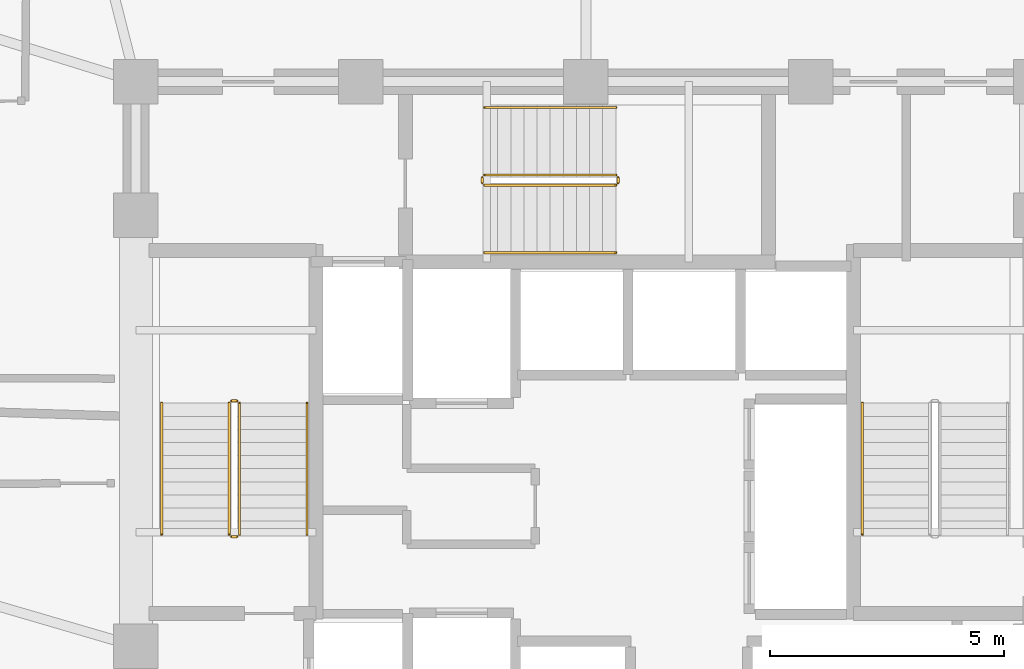
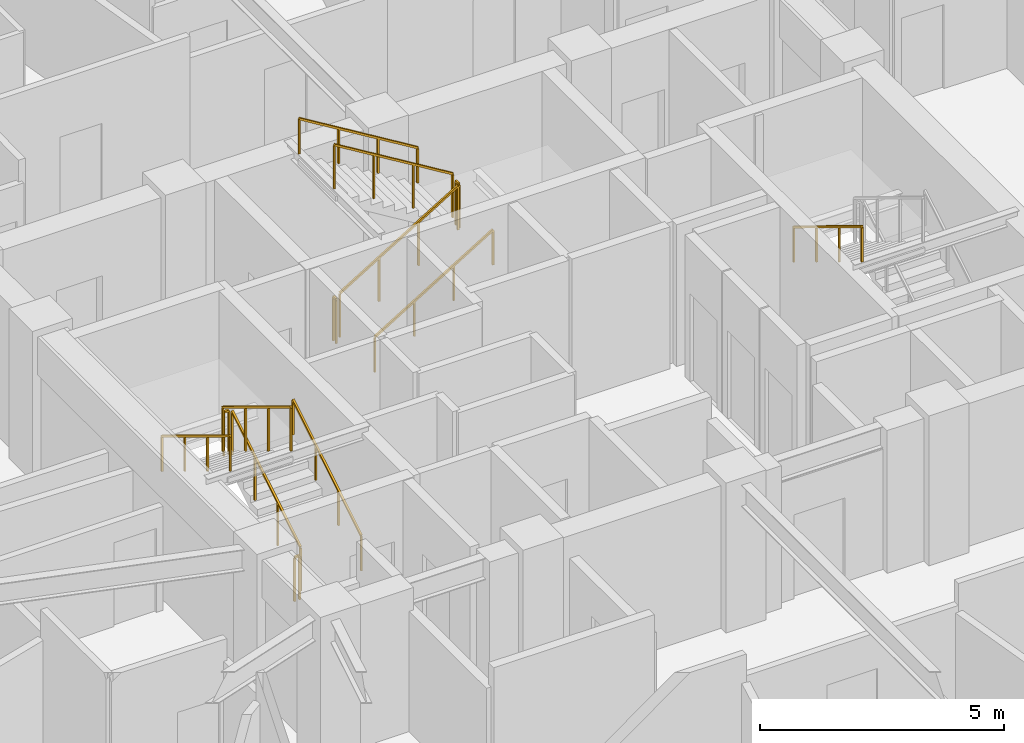
# One storey, part 28 of 30: 13 railings.
"""IFC4 building model written with IfcOpenShell, lengths in metres."""

from ifc_helpers import new_model, si_unit, direction, frame, origin, origin_2d, place, context, subcontext, project, spatial, rectangle, extrude, material, type_object, element, save


model = new_model("IFC4")

# Units and contexts
model_context = context("Model", 3, precision=1e-05, world=origin(), true_north=direction((0.0, 1.0)))
body_context = subcontext(model_context, "Body", "Model", "MODEL_VIEW")
ifc_project = project(units=[si_unit("LENGTHUNIT", "METRE"), si_unit("AREAUNIT", "SQUARE_METRE"), si_unit("VOLUMEUNIT", "CUBIC_METRE"), si_unit("PLANEANGLEUNIT", "RADIAN"), si_unit("MASSUNIT", "GRAM", prefix="KILO")], contexts=[model_context])

# Site, building, storey
site_placement = place(None, origin())
site = spatial("IfcSite", under=ifc_project, at=site_placement, CompositionType="ELEMENT")
building_placement = place(site_placement, origin())
building = spatial("IfcBuilding", under=site, at=building_placement, Name="Vantalir Tower", CompositionType="ELEMENT")
storey_placement = place(building_placement, frame((0.0, 0.0, 119.699951171875)))
storey = spatial("IfcBuildingStorey", under=building, at=storey_placement, Name="L29", CompositionType="ELEMENT", Elevation=119.699951171875)

# Railings
ifc_material_1 = material(Name="Anodised aluminium and stainless steel guard", Category="steel")
railing_type_1 = type_object("IfcRailingType", Name="RAL-GUARD-1120", PredefinedType="GUARDRAIL", material=ifc_material_1)
railing_1_placement = place(storey_placement, frame((24.110107421875, 22.7900390625, 0.17041015625)))
element("IfcRailing", 1, at=railing_1_placement, inside=storey, type_object=railing_type_1, Name="L29 ST1 stair guard 1", PredefinedType="GUARDRAIL", context=body_context, shape_type="SweptSolid", body=[
    extrude(rectangle(XDim=0.048095703125, YDim=0.048095703125, at=origin_2d()), frame((0.0, 0.0, 1.09619140625), z_axis=(0.0, 0.854169791009, 0.51999420009), x_axis=(-1.0, 0.0, 0.0)), (0.0, 0.0, 1.0), 3.278076171875),
    extrude(rectangle(XDim=0.0419921875, YDim=0.0419921875, at=origin_2d()), origin(), (0.0, 0.0, 1.0), 1.072021484375),
    extrude(rectangle(XDim=0.0419921875, YDim=0.0419921875, at=origin_2d()), frame((0.0, 0.933349609375, 0.568115234375)), (0.0, 0.0, 1.0), 1.072021484375),
    extrude(rectangle(XDim=0.0419921875, YDim=0.0419921875, at=origin_2d()), frame((0.0, 1.86669921875, 1.136474609375)), (0.0, 0.0, 1.0), 1.072021484375),
    extrude(rectangle(XDim=0.0419921875, YDim=0.0419921875, at=origin_2d()), frame((0.0, 2.800048828125, 1.70458984375)), (0.0, 0.0, 1.0), 1.072021484375),
])
railing_2_placement = place(storey_placement, frame((24.06005859375, 25.639892578125, 1.875)))
element("IfcRailing", 2, at=railing_2_placement, inside=storey, type_object=railing_type_1, Name="L29 ST1 stair guard 2", PredefinedType="GUARDRAIL", context=body_context, shape_type="SweptSolid", body=[
    extrude(rectangle(XDim=0.048095703125, YDim=0.048095703125, at=origin_2d()), frame((0.0, 0.0, 1.09619140625), z_axis=(-1.0, 0.0, 0.0), x_axis=(0.0, -1.0, 0.0)), (0.0, 0.0, 1.0), 0.1201171875),
    extrude(rectangle(XDim=0.0419921875, YDim=0.0419921875, at=origin_2d()), origin(), (0.0, 0.0, 1.0), 1.072021484375),
    extrude(rectangle(XDim=0.0419921875, YDim=0.0419921875, at=origin_2d()), frame((-0.1201171875, 0.0, 0.0)), (0.0, 0.0, 1.0), 1.072021484375),
])
railing_3_placement = place(storey_placement, frame((23.889892578125, 25.590087890625, 2.04541015625)))
element("IfcRailing", 3, at=railing_3_placement, inside=storey, type_object=railing_type_1, Name="L29 ST1 stair guard 3", PredefinedType="GUARDRAIL", context=body_context, shape_type="SweptSolid", body=[
    extrude(rectangle(XDim=0.048095703125, YDim=0.048095703125, at=origin_2d()), frame((0.0, 0.0, 1.09619140625), z_axis=(0.0, -0.854169791009, 0.51999420009), x_axis=(1.0, 0.0, 0.0)), (0.0, 0.0, 1.0), 3.278076171875),
    extrude(rectangle(XDim=0.0419921875, YDim=0.0419921875, at=origin_2d()), origin(), (0.0, 0.0, 1.0), 1.072021484375),
    extrude(rectangle(XDim=0.0419921875, YDim=0.0419921875, at=origin_2d()), frame((0.0, -0.933349609375, 0.568115234375)), (0.0, 0.0, 1.0), 1.072021484375),
    extrude(rectangle(XDim=0.0419921875, YDim=0.0419921875, at=origin_2d()), frame((0.0, -1.86669921875, 1.136474609375)), (0.0, 0.0, 1.0), 1.072021484375),
    extrude(rectangle(XDim=0.0419921875, YDim=0.0419921875, at=origin_2d()), frame((0.0, -2.800048828125, 1.70458984375)), (0.0, 0.0, 1.0), 1.072021484375),
])
railing_4_placement = place(storey_placement, frame((24.06005859375, 22.739990234375, 0.0)))
element("IfcRailing", 4, at=railing_4_placement, inside=storey, type_object=railing_type_1, Name="L29 ST1 stair guard 4", PredefinedType="GUARDRAIL", context=body_context, shape_type="SweptSolid", body=[
    extrude(rectangle(XDim=0.048095703125, YDim=0.048095703125, at=origin_2d()), frame((0.0, 0.0, 1.09619140625), z_axis=(-1.0, 0.0, 0.0), x_axis=(0.0, -1.0, 0.0)), (0.0, 0.0, 1.0), 0.1201171875),
    extrude(rectangle(XDim=0.0419921875, YDim=0.0419921875, at=origin_2d()), origin(), (0.0, 0.0, 1.0), 1.072021484375),
    extrude(rectangle(XDim=0.0419921875, YDim=0.0419921875, at=origin_2d()), frame((-0.1201171875, 0.0, 0.0)), (0.0, 0.0, 1.0), 1.072021484375),
])
railing_5_placement = place(storey_placement, frame((29.340087890625, 30.239990234375, 0.17041015625)))
element("IfcRailing", 5, at=railing_5_placement, inside=storey, type_object=railing_type_1, Name="L29 ST3 stair guard 1", PredefinedType="GUARDRAIL", context=body_context, shape_type="SweptSolid", body=[
    extrude(rectangle(XDim=0.048095703125, YDim=0.048095703125, at=origin_2d()), frame((0.0, 0.0, 1.09619140625), z_axis=(0.854149651119, 0.0, 0.520027281489), x_axis=(0.0, 1.0, 0.0)), (0.0, 0.0, 1.0), 3.27783203125),
    extrude(rectangle(XDim=0.0419921875, YDim=0.0419921875, at=origin_2d()), origin(), (0.0, 0.0, 1.0), 1.072021484375),
    extrude(rectangle(XDim=0.0419921875, YDim=0.0419921875, at=origin_2d()), frame((0.933349609375, 0.0, 0.568115234375)), (0.0, 0.0, 1.0), 1.072021484375),
    extrude(rectangle(XDim=0.0419921875, YDim=0.0419921875, at=origin_2d()), frame((1.866455078125, 0.0, 1.136474609375)), (0.0, 0.0, 1.0), 1.072021484375),
    extrude(rectangle(XDim=0.0419921875, YDim=0.0419921875, at=origin_2d()), frame((2.7998046875, 0.0, 1.70458984375)), (0.0, 0.0, 1.0), 1.072021484375),
])
railing_6_placement = place(storey_placement, frame((32.18994140625, 30.2900390625, 1.875)))
element("IfcRailing", 6, at=railing_6_placement, inside=storey, type_object=railing_type_1, Name="L29 ST3 stair guard 2", PredefinedType="GUARDRAIL", context=body_context, shape_type="SweptSolid", body=[
    extrude(rectangle(XDim=0.048095703125, YDim=0.048095703125, at=origin_2d()), frame((0.0, 0.0, 1.09619140625), z_axis=(0.0, 1.0, 0.0), x_axis=(-1.0, 0.0, 0.0)), (0.0, 0.0, 1.0), 0.119873046875),
    extrude(rectangle(XDim=0.0419921875, YDim=0.0419921875, at=origin_2d()), origin(), (0.0, 0.0, 1.0), 1.072021484375),
    extrude(rectangle(XDim=0.0419921875, YDim=0.0419921875, at=origin_2d()), frame((0.0, 0.119873046875, 0.0)), (0.0, 0.0, 1.0), 1.072021484375),
])
railing_7_placement = place(storey_placement, frame((32.139892578125, 30.4599609375, 2.04541015625)))
element("IfcRailing", 7, at=railing_7_placement, inside=storey, type_object=railing_type_1, Name="L29 ST3 stair guard 3", PredefinedType="GUARDRAIL", context=body_context, shape_type="SweptSolid", body=[
    extrude(rectangle(XDim=0.048095703125, YDim=0.048095703125, at=origin_2d()), frame((0.0, 0.0, 1.09619140625), z_axis=(-0.854149651119, 0.0, 0.520027281489), x_axis=(0.0, -1.0, 0.0)), (0.0, 0.0, 1.0), 3.27783203125),
    extrude(rectangle(XDim=0.0419921875, YDim=0.0419921875, at=origin_2d()), origin(), (0.0, 0.0, 1.0), 1.072021484375),
    extrude(rectangle(XDim=0.0419921875, YDim=0.0419921875, at=origin_2d()), frame((-0.933349609375, 0.0, 0.568115234375)), (0.0, 0.0, 1.0), 1.072021484375),
    extrude(rectangle(XDim=0.0419921875, YDim=0.0419921875, at=origin_2d()), frame((-1.866455078125, 0.0, 1.136474609375)), (0.0, 0.0, 1.0), 1.072021484375),
    extrude(rectangle(XDim=0.0419921875, YDim=0.0419921875, at=origin_2d()), frame((-2.7998046875, 0.0, 1.70458984375)), (0.0, 0.0, 1.0), 1.072021484375),
])
railing_8_placement = place(storey_placement, frame((29.2900390625, 30.2900390625, 0.0)))
element("IfcRailing", 8, at=railing_8_placement, inside=storey, type_object=railing_type_1, Name="L29 ST3 stair guard 4", PredefinedType="GUARDRAIL", context=body_context, shape_type="SweptSolid", body=[
    extrude(rectangle(XDim=0.048095703125, YDim=0.048095703125, at=origin_2d()), frame((0.0, 0.0, 1.09619140625), z_axis=(0.0, 1.0, 0.0), x_axis=(-1.0, 0.0, 0.0)), (0.0, 0.0, 1.0), 0.119873046875),
    extrude(rectangle(XDim=0.0419921875, YDim=0.0419921875, at=origin_2d()), origin(), (0.0, 0.0, 1.0), 1.072021484375),
    extrude(rectangle(XDim=0.0419921875, YDim=0.0419921875, at=origin_2d()), frame((0.0, 0.119873046875, 0.0)), (0.0, 0.0, 1.0), 1.072021484375),
])
ifc_material_2 = material(Name="Brushed stainless steel tubular handrail", Category="steel")
railing_type_2 = type_object("IfcRailingType", Name="RAL-HANDRAIL-900", PredefinedType="HANDRAIL", material=ifc_material_2)
railing_9_placement = place(storey_placement, frame((25.550048828125, 22.7900390625, 0.17041015625)))
element("IfcRailing", 9, at=railing_9_placement, inside=storey, type_object=railing_type_2, Name="L29 ST1 stair handrail 1", PredefinedType="HANDRAIL", context=body_context, shape_type="SweptSolid", body=[
    extrude(rectangle(XDim=0.048095703125, YDim=0.048095703125, at=origin_2d()), frame((0.0, 0.0, 0.8759765625), z_axis=(0.0, 0.854169791009, 0.51999420009), x_axis=(-1.0, 0.0, 0.0)), (0.0, 0.0, 1.0), 3.278076171875),
    extrude(rectangle(XDim=0.0419921875, YDim=0.0419921875, at=origin_2d()), origin(), (0.0, 0.0, 1.0), 0.851806640625),
    extrude(rectangle(XDim=0.0419921875, YDim=0.0419921875, at=origin_2d()), frame((0.0, 0.933349609375, 0.568115234375)), (0.0, 0.0, 1.0), 0.851806640625),
    extrude(rectangle(XDim=0.0419921875, YDim=0.0419921875, at=origin_2d()), frame((0.0, 1.86669921875, 1.136474609375)), (0.0, 0.0, 1.0), 0.851806640625),
    extrude(rectangle(XDim=0.0419921875, YDim=0.0419921875, at=origin_2d()), frame((0.0, 2.800048828125, 1.70458984375)), (0.0, 0.0, 1.0), 0.851806640625),
])
for number, where, name in (
    (10, (22.449951171875, 25.590087890625, 2.04541015625), "L29 ST1 stair handrail 2"),
    (11, (37.39990234375, 25.590087890625, 2.04541015625), "L29 ST2 stair handrail 2"),
):
    element("IfcRailing", number, at=place(storey_placement, frame(where)), inside=storey, type_object=railing_type_2, Name=name, PredefinedType="HANDRAIL", context=body_context, shape_type="SweptSolid", body=[
        extrude(rectangle(XDim=0.048095703125, YDim=0.048095703125, at=origin_2d()), frame((0.0, 0.0, 0.8759765625), z_axis=(0.0, -0.854169791009, 0.51999420009), x_axis=(1.0, 0.0, 0.0)), (0.0, 0.0, 1.0), 3.278076171875),
        extrude(rectangle(XDim=0.0419921875, YDim=0.0419921875, at=origin_2d()), origin(), (0.0, 0.0, 1.0), 0.851806640625),
        extrude(rectangle(XDim=0.0419921875, YDim=0.0419921875, at=origin_2d()), frame((0.0, -0.933349609375, 0.568115234375)), (0.0, 0.0, 1.0), 0.851806640625),
        extrude(rectangle(XDim=0.0419921875, YDim=0.0419921875, at=origin_2d()), frame((0.0, -1.86669921875, 1.136474609375)), (0.0, 0.0, 1.0), 0.851806640625),
        extrude(rectangle(XDim=0.0419921875, YDim=0.0419921875, at=origin_2d()), frame((0.0, -2.800048828125, 1.70458984375)), (0.0, 0.0, 1.0), 0.851806640625),
    ])
railing_10_placement = place(storey_placement, frame((29.340087890625, 28.800048828125, 0.17041015625)))
element("IfcRailing", 12, at=railing_10_placement, inside=storey, type_object=railing_type_2, Name="L29 ST3 stair handrail 1", PredefinedType="HANDRAIL", context=body_context, shape_type="SweptSolid", body=[
    extrude(rectangle(XDim=0.048095703125, YDim=0.048095703125, at=origin_2d()), frame((0.0, 0.0, 0.8759765625), z_axis=(0.854149651119, 0.0, 0.520027281489), x_axis=(0.0, 1.0, 0.0)), (0.0, 0.0, 1.0), 3.27783203125),
    extrude(rectangle(XDim=0.0419921875, YDim=0.0419921875, at=origin_2d()), origin(), (0.0, 0.0, 1.0), 0.851806640625),
    extrude(rectangle(XDim=0.0419921875, YDim=0.0419921875, at=origin_2d()), frame((0.933349609375, 0.0, 0.568115234375)), (0.0, 0.0, 1.0), 0.851806640625),
    extrude(rectangle(XDim=0.0419921875, YDim=0.0419921875, at=origin_2d()), frame((1.866455078125, 0.0, 1.136474609375)), (0.0, 0.0, 1.0), 0.851806640625),
    extrude(rectangle(XDim=0.0419921875, YDim=0.0419921875, at=origin_2d()), frame((2.7998046875, 0.0, 1.70458984375)), (0.0, 0.0, 1.0), 0.851806640625),
])
railing_11_placement = place(storey_placement, frame((32.139892578125, 31.89990234375, 2.04541015625)))
element("IfcRailing", 13, at=railing_11_placement, inside=storey, type_object=railing_type_2, Name="L29 ST3 stair handrail 2", PredefinedType="HANDRAIL", context=body_context, shape_type="SweptSolid", body=[
    extrude(rectangle(XDim=0.048095703125, YDim=0.048095703125, at=origin_2d()), frame((0.0, 0.0, 0.8759765625), z_axis=(-0.854149651119, 0.0, 0.520027281489), x_axis=(0.0, -1.0, 0.0)), (0.0, 0.0, 1.0), 3.27783203125),
    extrude(rectangle(XDim=0.0419921875, YDim=0.0419921875, at=origin_2d()), origin(), (0.0, 0.0, 1.0), 0.851806640625),
    extrude(rectangle(XDim=0.0419921875, YDim=0.0419921875, at=origin_2d()), frame((-0.933349609375, 0.0, 0.568115234375)), (0.0, 0.0, 1.0), 0.851806640625),
    extrude(rectangle(XDim=0.0419921875, YDim=0.0419921875, at=origin_2d()), frame((-1.866455078125, 0.0, 1.136474609375)), (0.0, 0.0, 1.0), 0.851806640625),
    extrude(rectangle(XDim=0.0419921875, YDim=0.0419921875, at=origin_2d()), frame((-2.7998046875, 0.0, 1.70458984375)), (0.0, 0.0, 1.0), 0.851806640625),
])

save(model, "model.ifc")
